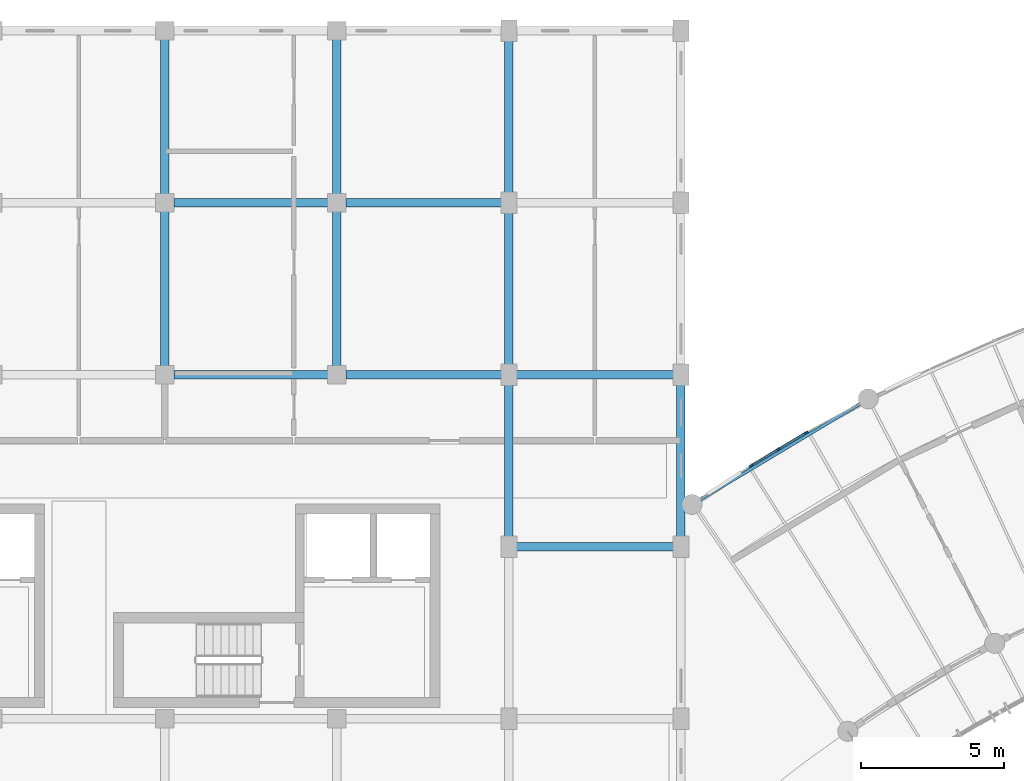
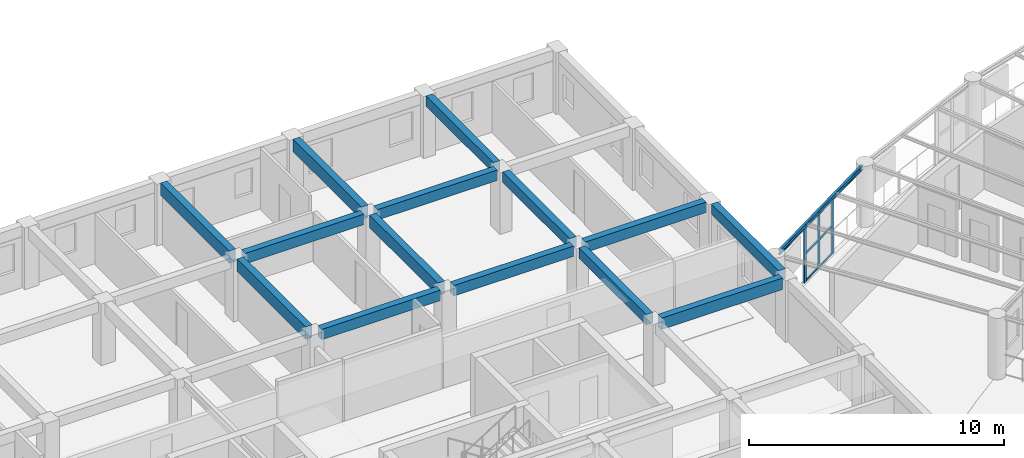
# One storey, part 47 of 123: 15 beams, 9 members, 1 element without a shape of its own.
"""IFC4 building model written with IfcOpenShell, lengths in metres."""

from ifc_helpers import new_model, si_unit, direction, frame, origin, origin_2d, place, context, subcontext, project, spatial, rectangle, i_section, extrude, material, layer, layer_set, material_profile, profile_set, type_object, element, aggregate, save


model = new_model("IFC4")

# Units and contexts
model_context = context("Model", 3, precision=1e-05, world=origin(), true_north=direction((0.0, 1.0)))
body_context = subcontext(model_context, "Body", "Model", "MODEL_VIEW")
ifc_project = project(units=[si_unit("LENGTHUNIT", "METRE"), si_unit("AREAUNIT", "SQUARE_METRE"), si_unit("VOLUMEUNIT", "CUBIC_METRE"), si_unit("PLANEANGLEUNIT", "RADIAN"), si_unit("MASSUNIT", "GRAM", prefix="KILO"), si_unit("POWERUNIT", "WATT"), si_unit("THERMODYNAMICTEMPERATUREUNIT", "KELVIN")], contexts=[model_context])

# Site, building, storey
site_placement = place(None, origin())
site = spatial("IfcSite", under=ifc_project, at=site_placement, CompositionType="ELEMENT")
building_placement = place(site_placement, origin())
building = spatial("IfcBuilding", under=site, at=building_placement, Name="Ruvembo Vaulted Housing Court", CompositionType="ELEMENT")
storey_placement = place(building_placement, frame((0.0, 0.0, 7.699951171875)))
storey = spatial("IfcBuildingStorey", under=building, at=storey_placement, Name="L02", CompositionType="ELEMENT", Elevation=7.699951171875)

# Beams
ifc_material_1 = material(Name="Concrete C35/45", Category="concrete")
ifc_material_profile_1 = material_profile(ifc_material_1, rectangle(XDim=0.300048828125, YDim=0.550048828125, at=origin_2d()), Name="RC 300x550")
ifc_profile_set_1 = profile_set([ifc_material_profile_1], Name="Concrete C35/45")
beam_type_1 = type_object("IfcBeamType", Name="BM-RC-300x550", PredefinedType="BEAM", material=ifc_profile_set_1)
beam_1_placement = place(storey_placement, frame((78.260009765625, 96.0, 2.679931640625), z_axis=(1.0, 0.0, 0.0), x_axis=(0.0, 1.0, 0.0)))
element("IfcBeam", 1, at=beam_1_placement, inside=storey, type_object=beam_type_1, Name="L02 Grid Beam X #1532", PredefinedType="BEAM", context=body_context, shape_type="SweptSolid", body=[
    extrude(rectangle(XDim=0.300048828125, YDim=0.550048828125, at=origin_2d()), origin(), (0.0, 0.0, 1.0), 5.47998046875),
])
ifc_material_profile_2 = material_profile(ifc_material_1, rectangle(XDim=0.300048828125, YDim=0.60009765625, at=origin_2d()), Name="RC 300x600")
ifc_profile_set_2 = profile_set([ifc_material_profile_2], Name="Concrete C35/45")
beam_type_2 = type_object("IfcBeamType", Name="BM-RC-300x600", PredefinedType="BEAM", material=ifc_profile_set_2)
for number, where, z_axis, x_axis, name in (
    (2, (66.0, 102.31005859375, 2.655029296875), (0.0, 1.0, 0.0), (-1.0, 0.0, 0.0), "L02 Grid Beam Y #1621"),
    (3, (66.0, 108.31005859375, 2.655029296875), (0.0, 1.0, 0.0), (-1.0, 0.0, 0.0), "L02 Grid Beam Y #1622"),
    (4, (72.0, 102.31005859375, 2.655029296875), (0.0, 1.0, 0.0), (-1.0, 0.0, 0.0), "L02 Grid Beam Y #1625"),
    (5, (72.0, 108.31005859375, 2.655029296875), (0.0, 1.0, 0.0), (-1.0, 0.0, 0.0), "L02 Grid Beam Y #1626"),
):
    element("IfcBeam", number, at=place(storey_placement, frame(where, z_axis=z_axis, x_axis=x_axis)), inside=storey, type_object=beam_type_2, Name=name, PredefinedType="BEAM", context=body_context, shape_type="SweptSolid", body=[
        extrude(rectangle(XDim=0.300048828125, YDim=0.60009765625, at=origin_2d()), origin(), (0.0, 0.0, 1.0), 5.3798828125),
    ])
ifc_material_2 = material(Name="Steel S355J2", Category="steel")
ifc_material_profile_3 = material_profile(ifc_material_2, i_section(OverallWidth=0.110107421875, OverallDepth=0.219970703125, WebThickness=0.005859375, FlangeThickness=0.00927734375, FilletRadius=0.011962890625, at=origin_2d()), Name="IPE 220")
ifc_profile_set_3 = profile_set([ifc_material_profile_3], Name="Steel S355J2")
beam_type_3 = type_object("IfcBeamType", Name="BM-ST-IPE220", PredefinedType="SPANDREL", material=ifc_profile_set_3)
beam_2_placement = place(storey_placement, frame((84.58349609375, 97.595703125, 2.83203125), z_axis=(0.857906892843, 0.513805180213, 0.0), x_axis=(-0.513805180213, 0.857906892843, 0.0)))
element("IfcBeam", 6, at=beam_2_placement, inside=storey, type_object=beam_type_3, Name="Scoop SC3 L02 Chord Girder B0", PredefinedType="SPANDREL", context=body_context, shape_type="SweptSolid", body=[
    extrude(i_section(OverallWidth=0.110107421875, OverallDepth=0.219970703125, WebThickness=0.005859375, FlangeThickness=0.00927734375, FilletRadius=0.011962890625, at=origin_2d()), origin(), (0.0, 0.0, 1.0), 6.708251953125),
])

# Curtain wall, members
ifc_material_3 = material(Name="Anodised Aluminium and Solar-Control Glass", Category="aluminium")
ifc_layer = layer(ifc_material_3, 0.1201171875, Name="Anodised Aluminium and Solar-Control Glass")
ifc_layer_set = layer_set([ifc_layer], Name="Anodised Aluminium and Solar-Control Glass")
curtain_wall_type = type_object("IfcCurtainWallType", Name="CW-SCOOP-GAL", PredefinedType="NOTDEFINED", material=ifc_layer_set)
curtain_wall_placement = place(storey_placement, origin())
curtain_wall = element("IfcCurtainWall", 7, at=curtain_wall_placement, inside=storey, type_object=curtain_wall_type, Name="L02 Curtain Wall CW-L02-0065", PredefinedType="NOTDEFINED")
ifc_material_4 = material(Name="Anodised Aluminium 6063-T6", Category="aluminium")
ifc_material_profile_4 = material_profile(ifc_material_4, rectangle(XDim=0.06005859375, YDim=0.159912109375, at=origin_2d()), Name="ALU 60x160")
ifc_profile_set_4 = profile_set([ifc_material_profile_4], Name="Anodised Aluminium 6063-T6")
member_type_1 = type_object("IfcMemberType", Name="CW-MULLION-65x150", PredefinedType="MULLION", material=ifc_profile_set_4)
member_1_placement = place(storey_placement, frame((86.453125, 98.8310546875, 0.0), z_axis=(0.0, 0.0, 1.0), x_axis=(-0.513827980288, 0.85789323734, 0.0)))
member_1 = element("IfcMember", 8, at=member_1_placement, type_object=member_type_1, Name="CW6 mullion 1", PredefinedType="MULLION", context=body_context, shape_type="SweptSolid", body=[
    extrude(rectangle(XDim=0.06005859375, YDim=0.159912109375, at=origin_2d()), origin(), (0.0, 0.0, 1.0), 2.697998046875),
])
member_2_placement = place(storey_placement, frame((87.41015625, 99.404052734375, 0.0), z_axis=(0.0, 0.0, 1.0), x_axis=(-0.513827980288, 0.85789323734, 0.0)))
member_2 = element("IfcMember", 9, at=member_2_placement, type_object=member_type_1, Name="CW6 mullion 2", PredefinedType="MULLION", context=body_context, shape_type="SweptSolid", body=[
    extrude(rectangle(XDim=0.06005859375, YDim=0.159912109375, at=origin_2d()), origin(), (0.0, 0.0, 1.0), 2.697998046875),
])
member_3_placement = place(storey_placement, frame((88.366943359375, 99.977294921875, 0.0), z_axis=(0.0, 0.0, 1.0), x_axis=(-0.513827980288, 0.85789323734, 0.0)))
member_3 = element("IfcMember", 10, at=member_3_placement, type_object=member_type_1, Name="CW6 mullion 3", PredefinedType="MULLION", context=body_context, shape_type="SweptSolid", body=[
    extrude(rectangle(XDim=0.06005859375, YDim=0.159912109375, at=origin_2d()), origin(), (0.0, 0.0, 1.0), 2.697998046875),
])
ifc_material_profile_5 = material_profile(ifc_material_4, rectangle(XDim=0.06005859375, YDim=0.10009765625, at=origin_2d()), Name="ALU 60x100")
ifc_profile_set_5 = profile_set([ifc_material_profile_5], Name="Anodised Aluminium 6063-T6")
member_type_2 = type_object("IfcMemberType", Name="CW-TRN-60x100", PredefinedType="USERDEFINED", material=ifc_profile_set_5)
member_4_placement = place(storey_placement, frame((86.478759765625, 98.846435546875, 0.030029296875), z_axis=(0.857941619392, 0.513747192416, 0.0), x_axis=(-0.513747192416, 0.857941619392, 0.0)))
member_4 = element("IfcMember", 11, at=member_4_placement, type_object=member_type_2, Name="CW6 transom 1.1", ObjectType="TRANSOM", PredefinedType="USERDEFINED", context=body_context, shape_type="SweptSolid", body=[
    extrude(rectangle(XDim=0.06005859375, YDim=0.10009765625, at=origin_2d()), origin(), (0.0, 0.0, 1.0), 1.055419921875),
])
member_5_placement = place(storey_placement, frame((86.478759765625, 98.846435546875, 1.34912109375), z_axis=(0.857941619392, 0.513747192416, 0.0), x_axis=(-0.513747192416, 0.857941619392, 0.0)))
member_5 = element("IfcMember", 12, at=member_5_placement, type_object=member_type_2, Name="CW6 transom 1.2", ObjectType="TRANSOM", PredefinedType="USERDEFINED", context=body_context, shape_type="SweptSolid", body=[
    extrude(rectangle(XDim=0.06005859375, YDim=0.10009765625, at=origin_2d()), origin(), (0.0, 0.0, 1.0), 1.055419921875),
])
member_6_placement = place(storey_placement, frame((86.478759765625, 98.846435546875, 2.66796875), z_axis=(0.857941619392, 0.513747192416, 0.0), x_axis=(-0.513747192416, 0.857941619392, 0.0)))
member_6 = element("IfcMember", 13, at=member_6_placement, type_object=member_type_2, Name="CW6 transom 1.3", ObjectType="TRANSOM", PredefinedType="USERDEFINED", context=body_context, shape_type="SweptSolid", body=[
    extrude(rectangle(XDim=0.06005859375, YDim=0.10009765625, at=origin_2d()), origin(), (0.0, 0.0, 1.0), 1.055419921875),
])
member_7_placement = place(storey_placement, frame((87.435791015625, 99.419677734375, 0.030029296875), z_axis=(0.857941619392, 0.513747192416, 0.0), x_axis=(-0.513747192416, 0.857941619392, 0.0)))
member_7 = element("IfcMember", 14, at=member_7_placement, type_object=member_type_2, Name="CW6 transom 2.1", ObjectType="TRANSOM", PredefinedType="USERDEFINED", context=body_context, shape_type="SweptSolid", body=[
    extrude(rectangle(XDim=0.06005859375, YDim=0.10009765625, at=origin_2d()), origin(), (0.0, 0.0, 1.0), 1.055419921875),
])
member_8_placement = place(storey_placement, frame((87.435791015625, 99.419677734375, 1.34912109375), z_axis=(0.857941619392, 0.513747192416, 0.0), x_axis=(-0.513747192416, 0.857941619392, 0.0)))
member_8 = element("IfcMember", 15, at=member_8_placement, type_object=member_type_2, Name="CW6 transom 2.2", ObjectType="TRANSOM", PredefinedType="USERDEFINED", context=body_context, shape_type="SweptSolid", body=[
    extrude(rectangle(XDim=0.06005859375, YDim=0.10009765625, at=origin_2d()), origin(), (0.0, 0.0, 1.0), 1.055419921875),
])
member_9_placement = place(storey_placement, frame((87.435791015625, 99.419677734375, 2.66796875), z_axis=(0.857941619392, 0.513747192416, 0.0), x_axis=(-0.513747192416, 0.857941619392, 0.0)))
member_9 = element("IfcMember", 16, at=member_9_placement, type_object=member_type_2, Name="CW6 transom 2.3", ObjectType="TRANSOM", PredefinedType="USERDEFINED", context=body_context, shape_type="SweptSolid", body=[
    extrude(rectangle(XDim=0.06005859375, YDim=0.10009765625, at=origin_2d()), origin(), (0.0, 0.0, 1.0), 1.055419921875),
])
aggregate(curtain_wall, [member_1, member_2, member_3, member_4, member_5, member_6, member_7, member_8, member_9])

# Beams
ifc_material_profile_6 = material_profile(ifc_material_1, rectangle(XDim=0.300048828125, YDim=0.5, at=origin_2d()), Name="RC 300x500")
ifc_profile_set_6 = profile_set([ifc_material_profile_6], Name="Concrete C35/45")
beam_type_4 = type_object("IfcBeamType", Name="SP-RC-300x500", PredefinedType="SPANDREL", material=ifc_profile_set_6)
beam_3_placement = place(storey_placement, frame((66.31005859375, 102.0, 2.705078125), z_axis=(1.0, 0.0, 0.0), x_axis=(0.0, 1.0, 0.0)))
element("IfcBeam", 17, at=beam_3_placement, inside=storey, type_object=beam_type_4, Name="L02 Grid Beam X #1542", PredefinedType="SPANDREL", context=body_context, shape_type="SweptSolid", body=[
    extrude(rectangle(XDim=0.300048828125, YDim=0.5, at=origin_2d()), origin(), (0.0, 0.0, 1.0), 5.3798828125),
])
beam_4_placement = place(storey_placement, frame((72.31005859375, 102.0, 2.705078125), z_axis=(1.0, 0.0, 0.0), x_axis=(0.0, 1.0, 0.0)))
element("IfcBeam", 18, at=beam_4_placement, inside=storey, type_object=beam_type_4, Name="L02 Grid Beam X #1543", PredefinedType="SPANDREL", context=body_context, shape_type="SweptSolid", body=[
    extrude(rectangle(XDim=0.300048828125, YDim=0.5, at=origin_2d()), origin(), (0.0, 0.0, 1.0), 5.429931640625),
])
beam_5_placement = place(storey_placement, frame((78.260009765625, 102.0, 2.705078125), z_axis=(1.0, 0.0, 0.0), x_axis=(0.0, 1.0, 0.0)))
element("IfcBeam", 19, at=beam_5_placement, inside=storey, type_object=beam_type_4, Name="L02 Grid Beam X #1544", PredefinedType="SPANDREL", context=body_context, shape_type="SweptSolid", body=[
    extrude(rectangle(XDim=0.300048828125, YDim=0.5, at=origin_2d()), origin(), (0.0, 0.0, 1.0), 5.47998046875),
])
beam_6_placement = place(storey_placement, frame((66.31005859375, 108.0, 2.705078125), z_axis=(1.0, 0.0, 0.0), x_axis=(0.0, 1.0, 0.0)))
element("IfcBeam", 20, at=beam_6_placement, inside=storey, type_object=beam_type_4, Name="L02 Grid Beam X #1554", PredefinedType="SPANDREL", context=body_context, shape_type="SweptSolid", body=[
    extrude(rectangle(XDim=0.300048828125, YDim=0.5, at=origin_2d()), origin(), (0.0, 0.0, 1.0), 5.3798828125),
])
beam_7_placement = place(storey_placement, frame((72.31005859375, 108.0, 2.705078125), z_axis=(1.0, 0.0, 0.0), x_axis=(0.0, 1.0, 0.0)))
element("IfcBeam", 21, at=beam_7_placement, inside=storey, type_object=beam_type_4, Name="L02 Grid Beam X #1555", PredefinedType="SPANDREL", context=body_context, shape_type="SweptSolid", body=[
    extrude(rectangle(XDim=0.300048828125, YDim=0.5, at=origin_2d()), origin(), (0.0, 0.0, 1.0), 5.429931640625),
])
for number, where, z_axis, x_axis, name in (
    (22, (78.0, 96.360107421875, 2.705078125), (0.0, 1.0, 0.0), (-1.0, 0.0, 0.0), "L02 Grid Beam Y #1630"),
    (23, (78.0, 102.360107421875, 2.705078125), (0.0, 1.0, 0.0), (-1.0, 0.0, 0.0), "L02 Grid Beam Y #1631"),
    (24, (78.0, 108.360107421875, 2.705078125), (0.0, 1.0, 0.0), (-1.0, 0.0, 0.0), "L02 Grid Beam Y #1632"),
    (25, (84.0, 96.360107421875, 2.705078125), (0.0, 1.0, 0.0), (-1.0, 0.0, 0.0), "L02 Grid Beam Y #1636"),
):
    element("IfcBeam", number, at=place(storey_placement, frame(where, z_axis=z_axis, x_axis=x_axis)), inside=storey, type_object=beam_type_4, Name=name, PredefinedType="SPANDREL", context=body_context, shape_type="SweptSolid", body=[
        extrude(rectangle(XDim=0.300048828125, YDim=0.5, at=origin_2d()), origin(), (0.0, 0.0, 1.0), 5.27978515625),
    ])

save(model, "model.ifc")
